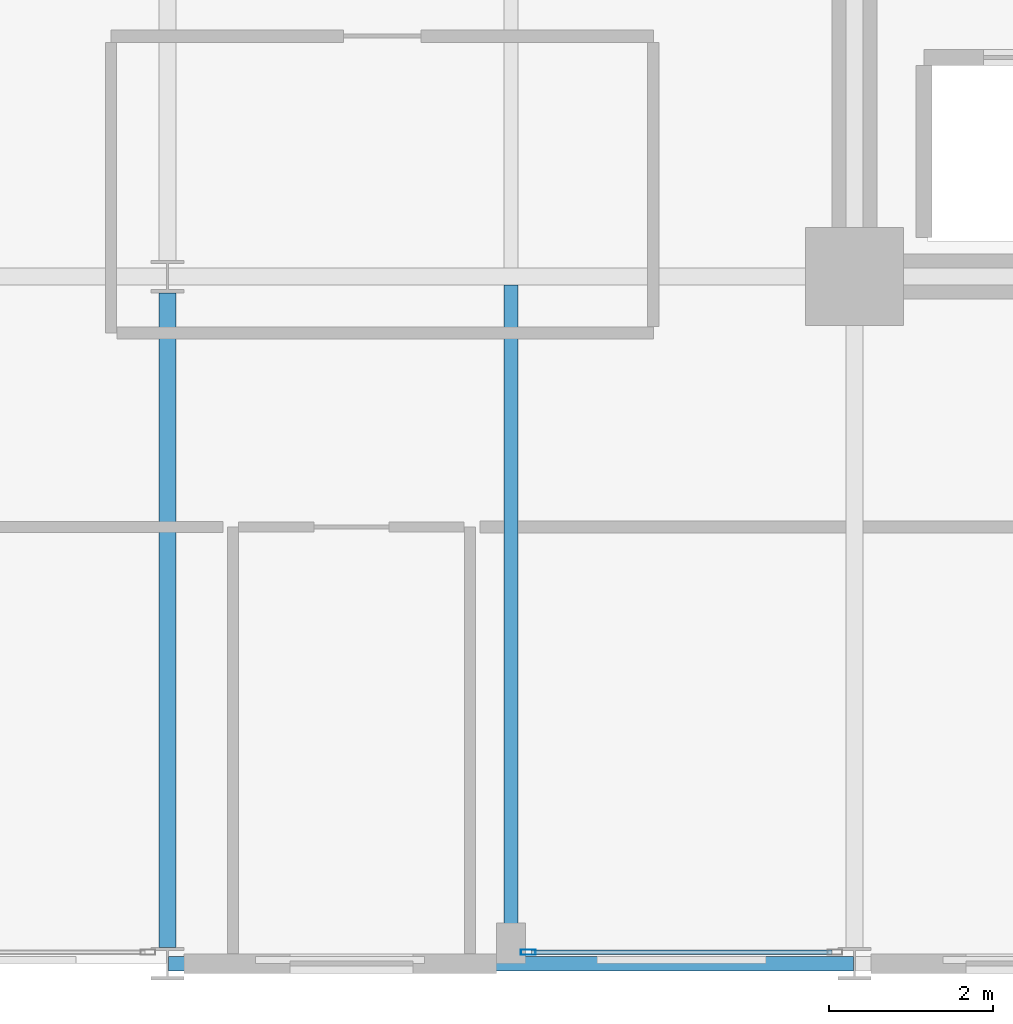
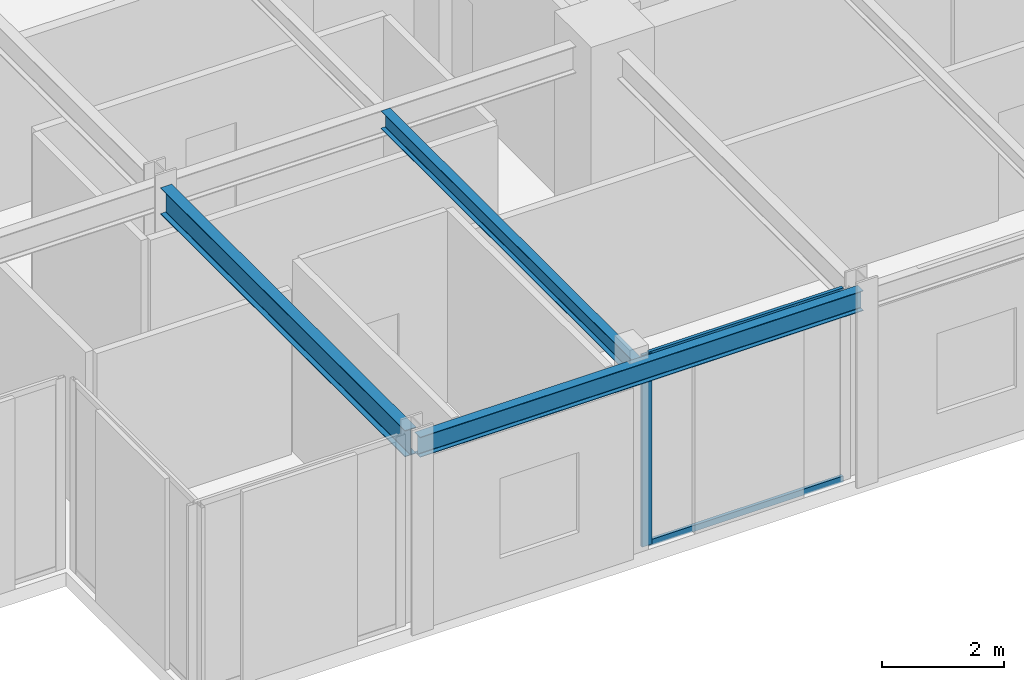
# One storey, part 5 of 38: 3 beams, 3 members, 1 element without a shape of its own.
"""IFC4 building model written with IfcOpenShell, lengths in metres."""

from ifc_helpers import new_model, si_unit, direction, frame, origin, origin_2d, place, context, subcontext, project, spatial, hollow_rectangle, i_section, extrude, material, layer, layer_set, material_profile, profile_set, type_object, element, aggregate, save


model = new_model("IFC4")

# Units and contexts
model_context = context("Model", 3, precision=1e-05, world=origin(), true_north=direction((0.0, 1.0)))
body_context = subcontext(model_context, "Body", "Model", "MODEL_VIEW")
ifc_project = project(units=[si_unit("LENGTHUNIT", "METRE"), si_unit("AREAUNIT", "SQUARE_METRE"), si_unit("VOLUMEUNIT", "CUBIC_METRE"), si_unit("PLANEANGLEUNIT", "RADIAN"), si_unit("MASSUNIT", "GRAM", prefix="KILO")], contexts=[model_context])

# Site, building, storey
site_placement = place(None, origin())
site = spatial("IfcSite", under=ifc_project, at=site_placement, CompositionType="ELEMENT")
building_placement = place(site_placement, origin())
building = spatial("IfcBuilding", under=site, at=building_placement, Name="Nerrivon Quay Data Exchange", CompositionType="ELEMENT")
storey_placement = place(building_placement, frame((0.0, 0.0, 100.800048828125)))
storey = spatial("IfcBuildingStorey", under=building, at=storey_placement, Name="L23", CompositionType="ELEMENT", Elevation=100.800048828125)

# Beams
ifc_material_1 = material(Name="Steel Grade 350", Category="steel")
ifc_material_profile_1 = material_profile(ifc_material_1, i_section(OverallWidth=0.208984375, OverallDepth=0.528076171875, WebThickness=0.009521484375, FlangeThickness=0.01318359375, FilletRadius=0.013916015625, at=origin_2d()), Name="530UB82.0")
ifc_profile_set_1 = profile_set([ifc_material_profile_1], Name="Steel Grade 350")
beam_type_1 = type_object("IfcBeamType", Name="BM-G4-530UB82", PredefinedType="BEAM", material=ifc_profile_set_1)
beam_1_placement = place(storey_placement, frame((8.39990234375, 0.199951171875, 3.56103515625), z_axis=(0.0, 1.0, 0.0), x_axis=(-1.0, 0.0, 0.0)))
element("IfcBeam", 1, at=beam_1_placement, inside=storey, type_object=beam_type_1, Name="L23 NS Girder X=8.4 (0.0..8.4)", PredefinedType="BEAM", context=body_context, shape_type="SweptSolid", body=[
    extrude(i_section(OverallWidth=0.208984375, OverallDepth=0.528076171875, WebThickness=0.009521484375, FlangeThickness=0.01318359375, FilletRadius=0.013916015625, at=origin_2d()), origin(), (0.0, 0.0, 1.0), 8.0),
])
ifc_material_profile_2 = material_profile(ifc_material_1, i_section(OverallWidth=0.1708984375, OverallDepth=0.35595703125, WebThickness=0.00732421875, FlangeThickness=0.011474609375, FilletRadius=0.011474609375, at=origin_2d()), Name="360UB50.7")
ifc_profile_set_2 = profile_set([ifc_material_profile_2], Name="Steel Grade 350")
beam_type_2 = type_object("IfcBeamType", Name="BM-J4-360UB51", PredefinedType="JOIST", material=ifc_profile_set_2)
beam_2_placement = place(storey_placement, frame((12.60009765625, 0.089111328125, 3.64697265625), z_axis=(0.0, 1.0, 0.0), x_axis=(-1.0, 0.0, 0.0)))
element("IfcBeam", 2, at=beam_2_placement, inside=storey, type_object=beam_type_2, Name="L23 Secondary Joist X=12.6 (0.0..8.4)", PredefinedType="JOIST", context=body_context, shape_type="SweptSolid", body=[
    extrude(i_section(OverallWidth=0.1708984375, OverallDepth=0.35595703125, WebThickness=0.00732421875, FlangeThickness=0.011474609375, FilletRadius=0.011474609375, at=origin_2d()), origin(), (0.0, 0.0, 1.0), 8.206298828125),
])
ifc_material_profile_3 = material_profile(ifc_material_1, i_section(OverallWidth=0.177978515625, OverallDepth=0.403076171875, WebThickness=0.007568359375, FlangeThickness=0.010986328125, FilletRadius=0.011474609375, at=origin_2d()), Name="410UB53.7")
ifc_profile_set_3 = profile_set([ifc_material_profile_3], Name="Steel Grade 350")
beam_type_3 = type_object("IfcBeamType", Name="BM-SP2-410UB54", PredefinedType="SPANDREL", material=ifc_profile_set_3)
beam_3_placement = place(storey_placement, frame((8.41259765625, 0.0, 3.62353515625), z_axis=(1.0, 0.0, 0.0), x_axis=(0.0, 1.0, 0.0)))
element("IfcBeam", 3, at=beam_3_placement, inside=storey, type_object=beam_type_3, Name="L23 EW Girder Y=0.0 (8.4..16.8)", PredefinedType="SPANDREL", context=body_context, shape_type="SweptSolid", body=[
    extrude(i_section(OverallWidth=0.177978515625, OverallDepth=0.403076171875, WebThickness=0.007568359375, FlangeThickness=0.010986328125, FilletRadius=0.011474609375, at=origin_2d()), origin(), (0.0, 0.0, 1.0), 8.375),
])

# Curtain wall, members
ifc_material_2 = material(Name="Anodised aluminium 6063-T6", Category="aluminium")
ifc_layer = layer(ifc_material_2, 0.2099609375)
ifc_layer_set = layer_set([ifc_layer], Name="Anodised aluminium 6063-T6")
curtain_wall_type = type_object("IfcCurtainWallType", Name="CW-SYS-02", PredefinedType="NOTDEFINED", material=ifc_layer_set)
curtain_wall_placement = place(storey_placement, origin())
curtain_wall = element("IfcCurtainWall", 4, at=curtain_wall_placement, inside=storey, type_object=curtain_wall_type, Name="L23 Unitised Curtain Wall 12", PredefinedType="NOTDEFINED")
ifc_material_profile_4 = material_profile(ifc_material_2, hollow_rectangle(XDim=0.06494140625, YDim=0.179931640625, WallThickness=0.00341796875, at=origin_2d()), Name="ALU-MULL-180x65")
ifc_profile_set_4 = profile_set([ifc_material_profile_4], Name="Anodised aluminium 6063-T6")
member_type_1 = type_object("IfcMemberType", Name="CWM-180x65", PredefinedType="MULLION", material=ifc_profile_set_4)
member_1_placement = place(storey_placement, frame((12.8125, 0.139892578125, 0.0), z_axis=(0.0, 0.0, 1.0), x_axis=(0.0, -1.0, 0.0)))
member_1 = element("IfcMember", 5, at=member_1_placement, type_object=member_type_1, Name="CW02 mullion 2", PredefinedType="MULLION", context=body_context, shape_type="SweptSolid", body=[
    extrude(hollow_rectangle(XDim=0.06494140625, YDim=0.179931640625, WallThickness=0.00341796875, at=origin_2d()), origin(), (0.0, 0.0, 1.0), 3.824951171875),
])
ifc_material_profile_5 = material_profile(ifc_material_2, hollow_rectangle(XDim=0.06005859375, YDim=0.1201171875, WallThickness=0.003173828125, at=origin_2d()), Name="ALU-TRAN-120x60")
ifc_profile_set_5 = profile_set([ifc_material_profile_5], Name="Anodised aluminium 6063-T6")
member_type_2 = type_object("IfcMemberType", Name="CWT-120x60", PredefinedType="USERDEFINED", material=ifc_profile_set_5)
member_2_placement = place(storey_placement, frame((16.52490234375, 0.139892578125, 0.032470703125), z_axis=(-1.0, 0.0, 0.0), x_axis=(0.0, -1.0, 0.0)))
member_2 = element("IfcMember", 6, at=member_2_placement, type_object=member_type_2, Name="CW02 transom 1.1", ObjectType="TRANSOM", PredefinedType="USERDEFINED", context=body_context, shape_type="SweptSolid", body=[
    extrude(hollow_rectangle(XDim=0.06005859375, YDim=0.1201171875, WallThickness=0.003173828125, at=origin_2d()), origin(), (0.0, 0.0, 1.0), 3.6748046875),
])
member_3_placement = place(storey_placement, frame((16.52490234375, 0.139892578125, 3.79248046875), z_axis=(-1.0, 0.0, 0.0), x_axis=(0.0, -1.0, 0.0)))
member_3 = element("IfcMember", 7, at=member_3_placement, type_object=member_type_2, Name="CW02 transom 1.2", ObjectType="TRANSOM", PredefinedType="USERDEFINED", context=body_context, shape_type="SweptSolid", body=[
    extrude(hollow_rectangle(XDim=0.06005859375, YDim=0.1201171875, WallThickness=0.003173828125, at=origin_2d()), origin(), (0.0, 0.0, 1.0), 3.6748046875),
])
aggregate(curtain_wall, [member_1, member_2, member_3])

save(model, "model.ifc")
